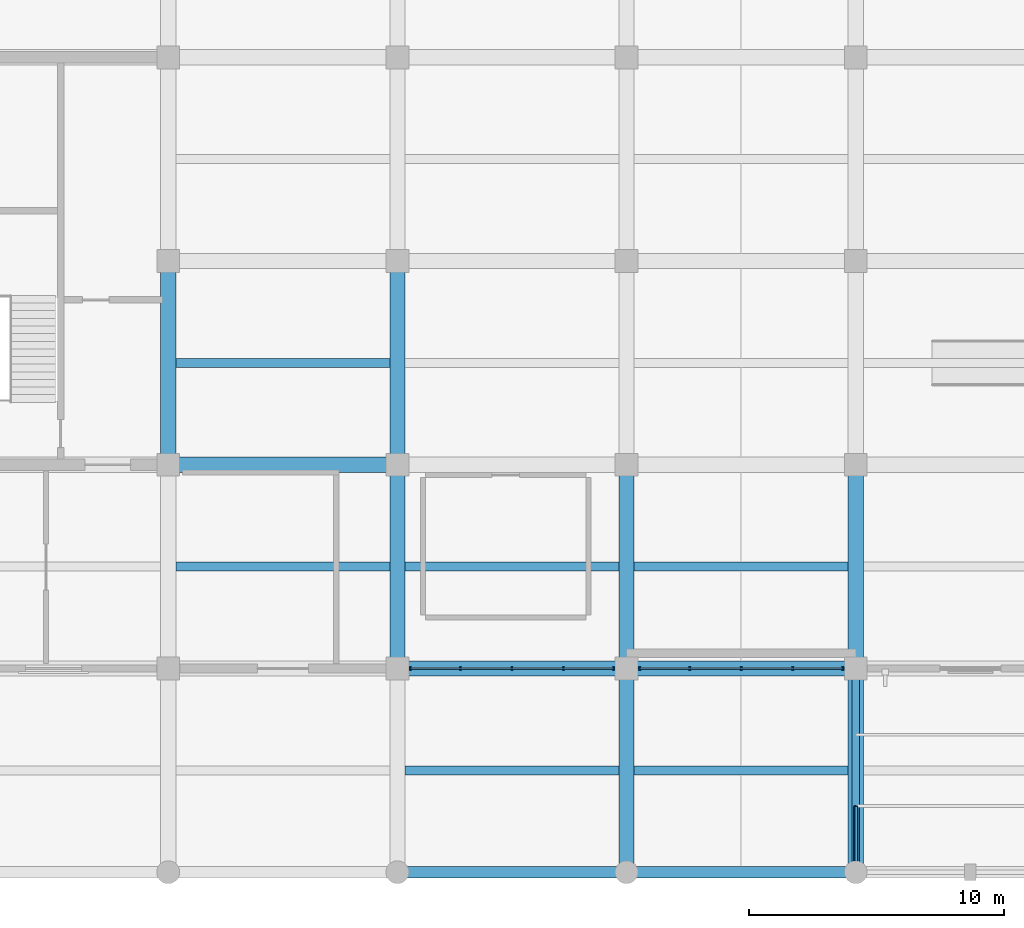
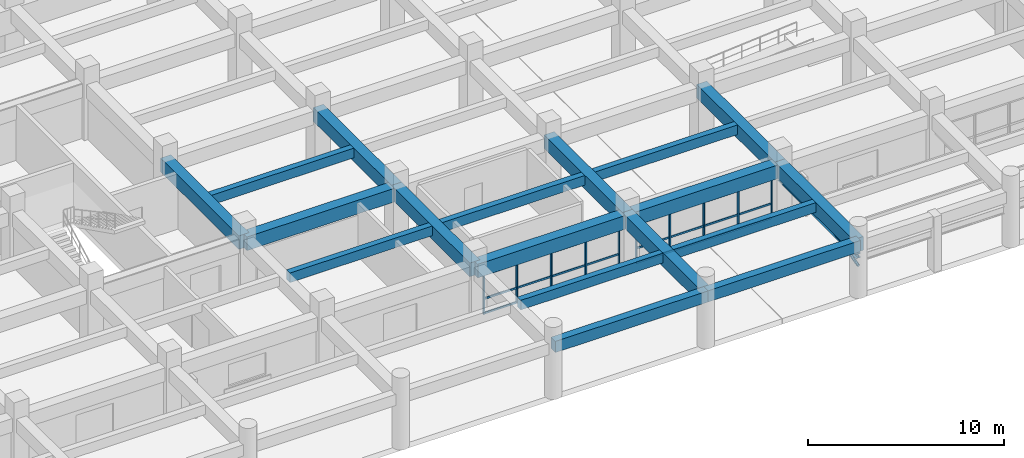
# One storey, part 3 of 40: 18 beams, 18 members, 2 elements without a shape of their own.
"""IFC4 building model written with IfcOpenShell, lengths in metres."""

from ifc_helpers import new_model, si_unit, direction, frame, origin, origin_2d, place, context, subcontext, project, spatial, rectangle, hollow_circle, i_section, extrude, material, material_profile, profile_set, type_object, element, aggregate, save


model = new_model("IFC4")

# Units and contexts
model_context = context("Model", 3, precision=1e-05, world=origin(), true_north=direction((0.0, 1.0)))
body_context = subcontext(model_context, "Body", "Model", "MODEL_VIEW")
ifc_project = project(units=[si_unit("LENGTHUNIT", "METRE"), si_unit("AREAUNIT", "SQUARE_METRE"), si_unit("VOLUMEUNIT", "CUBIC_METRE"), si_unit("PLANEANGLEUNIT", "RADIAN"), si_unit("MASSUNIT", "GRAM", prefix="KILO")], contexts=[model_context])

# Site, building, storey
site_placement = place(None, origin())
site = spatial("IfcSite", under=ifc_project, at=site_placement, CompositionType="ELEMENT")
building_placement = place(site_placement, origin())
building = spatial("IfcBuilding", under=site, at=building_placement, Name="Zaverband Oceanarium and Marine Research Institute", CompositionType="ELEMENT")
storey_placement = place(building_placement, origin())
storey = spatial("IfcBuildingStorey", under=building, at=storey_placement, Name="L00", CompositionType="ELEMENT", Elevation=0.0)

# Beams
ifc_material_1 = material(Name="Concrete C40/50", Category="concrete")
ifc_material_profile_1 = material_profile(ifc_material_1, rectangle(XDim=0.60009765625, YDim=0.85009765625, at=origin_2d()), Name="RC600x850")
ifc_profile_set_1 = profile_set([ifc_material_profile_1], Name="Concrete C40/50")
beam_type_1 = type_object("IfcBeamType", Name="BM-600x850", PredefinedType="BEAM", material=ifc_profile_set_1)
for number, where, z_axis, x_axis, name in (
    (1, (45.0, 8.0, 3.02490234375), (1.0, 0.0, 0.0), (0.0, 1.0, 0.0), "Primary floor girder BM-600x850"),
    (2, (54.0, 8.0, 3.02490234375), (1.0, 0.0, 0.0), (0.0, 1.0, 0.0), "Primary floor girder BM-600x850"),
    (3, (36.0, 16.0, 3.02490234375), (1.0, 0.0, 0.0), (0.0, 1.0, 0.0), "Primary floor girder BM-600x850"),
):
    element("IfcBeam", number, at=place(storey_placement, frame(where, z_axis=z_axis, x_axis=x_axis)), inside=storey, type_object=beam_type_1, Name=name, PredefinedType="BEAM", context=body_context, shape_type="SweptSolid", body=[
        extrude(rectangle(XDim=0.60009765625, YDim=0.85009765625, at=origin_2d()), origin(), (0.0, 0.0, 1.0), 9.0),
    ])
for number, where, z_axis, x_axis, name in (
    (4, (36.0, 16.0, 3.02490234375), (0.0, 1.0, 0.0), (-1.0, 0.0, 0.0), "Primary floor girder BM-600x850"),
    (5, (45.0, 8.0, 3.02490234375), (0.0, 1.0, 0.0), (-1.0, 0.0, 0.0), "Primary floor girder BM-600x850"),
    (6, (45.0, 16.0, 3.02490234375), (0.0, 1.0, 0.0), (-1.0, 0.0, 0.0), "Primary floor girder BM-600x850"),
    (7, (54.0, 0.0, 3.02490234375), (0.0, 1.0, 0.0), (-1.0, 0.0, 0.0), "Primary floor girder BM-600x850"),
    (8, (54.0, 8.0, 3.02490234375), (0.0, 1.0, 0.0), (-1.0, 0.0, 0.0), "Primary floor girder BM-600x850"),
    (9, (63.0, 0.0, 3.02490234375), (0.0, 1.0, 0.0), (-1.0, 0.0, 0.0), "Primary floor girder BM-600x850"),
    (10, (63.0, 8.0, 3.02490234375), (0.0, 1.0, 0.0), (-1.0, 0.0, 0.0), "Primary floor girder BM-600x850"),
):
    element("IfcBeam", number, at=place(storey_placement, frame(where, z_axis=z_axis, x_axis=x_axis)), inside=storey, type_object=beam_type_1, Name=name, PredefinedType="BEAM", context=body_context, shape_type="SweptSolid", body=[
        extrude(rectangle(XDim=0.60009765625, YDim=0.85009765625, at=origin_2d()), origin(), (0.0, 0.0, 1.0), 8.0),
    ])
ifc_material_profile_2 = material_profile(ifc_material_1, rectangle(XDim=0.35009765625, YDim=0.60009765625, at=origin_2d()), Name="RC350x600")
ifc_profile_set_2 = profile_set([ifc_material_profile_2], Name="Concrete C40/50")
beam_type_2 = type_object("IfcBeamType", Name="JST-350x600", PredefinedType="JOIST", material=ifc_profile_set_2)
for number, where, z_axis, x_axis, name in (
    (11, (36.300048828125, 12.0, 3.14990234375), (1.0, 0.0, 0.0), (0.0, 1.0, 0.0), "Secondary floor joist JST-350x600"),
    (12, (36.300048828125, 20.0, 3.14990234375), (1.0, 0.0, 0.0), (0.0, 1.0, 0.0), "Secondary floor joist JST-350x600"),
    (13, (45.300048828125, 4.0, 3.14990234375), (1.0, 0.0, 0.0), (0.0, 1.0, 0.0), "Secondary floor joist JST-350x600"),
    (14, (45.300048828125, 12.0, 3.14990234375), (1.0, 0.0, 0.0), (0.0, 1.0, 0.0), "Secondary floor joist JST-350x600"),
    (15, (54.300048828125, 4.0, 3.14990234375), (1.0, 0.0, 0.0), (0.0, 1.0, 0.0), "Secondary floor joist JST-350x600"),
    (16, (54.300048828125, 12.0, 3.14990234375), (1.0, 0.0, 0.0), (0.0, 1.0, 0.0), "Secondary floor joist JST-350x600"),
):
    element("IfcBeam", number, at=place(storey_placement, frame(where, z_axis=z_axis, x_axis=x_axis)), inside=storey, type_object=beam_type_2, Name=name, PredefinedType="JOIST", context=body_context, shape_type="SweptSolid", body=[
        extrude(rectangle(XDim=0.35009765625, YDim=0.60009765625, at=origin_2d()), origin(), (0.0, 0.0, 1.0), 8.39990234375),
    ])

# Curtain wall, members
ifc_material_2 = material(Name="Thermally broken anodized aluminium and solar-control glass", Category="aluminium")
curtain_wall_type = type_object("IfcCurtainWallType", Name="CW-UNIT-1800", PredefinedType="NOTDEFINED", material=ifc_material_2)
curtain_wall_1_placement = place(storey_placement, origin())
curtain_wall_1 = element("IfcCurtainWall", 17, at=curtain_wall_1_placement, inside=storey, type_object=curtain_wall_type, Name="Unitised glazed curtain wall CW-001", PredefinedType="NOTDEFINED")
ifc_material_3 = material(Name="Thermally broken anodized aluminium", Category="aluminium")
ifc_material_profile_3 = material_profile(ifc_material_3, rectangle(XDim=0.070068359375, YDim=0.14990234375, at=origin_2d()), Name="AL-MUL-70x150")
ifc_profile_set_3 = profile_set([ifc_material_profile_3], Name="Thermally broken anodized aluminium")
member_type_1 = type_object("IfcMemberType", Name="MUL-70x150", PredefinedType="MULLION", material=ifc_profile_set_3)
member_1_placement = place(storey_placement, frame((45.514892578125, 8.0, 0.0), z_axis=(0.0, 0.0, 1.0), x_axis=(1.0, 0.0, 0.0)))
member_1 = element("IfcMember", 18, at=member_1_placement, type_object=member_type_1, Name="Curtain wall vertical mullion MUL-70x150", PredefinedType="MULLION", context=body_context, shape_type="SweptSolid", body=[
    extrude(rectangle(XDim=0.070068359375, YDim=0.14990234375, at=origin_2d()), origin(), (0.0, 0.0, 1.0), 2.489990234375),
])
member_2_placement = place(storey_placement, frame((47.4775390625, 8.0, 0.0), z_axis=(0.0, 0.0, 1.0), x_axis=(1.0, 0.0, 0.0)))
member_2 = element("IfcMember", 19, at=member_2_placement, type_object=member_type_1, Name="Curtain wall vertical mullion MUL-70x150", PredefinedType="MULLION", context=body_context, shape_type="SweptSolid", body=[
    extrude(rectangle(XDim=0.070068359375, YDim=0.14990234375, at=origin_2d()), origin(), (0.0, 0.0, 1.0), 2.489990234375),
])
member_3_placement = place(storey_placement, frame((49.5, 8.0, 0.0), z_axis=(0.0, 0.0, 1.0), x_axis=(1.0, 0.0, 0.0)))
member_3 = element("IfcMember", 20, at=member_3_placement, type_object=member_type_1, Name="Curtain wall vertical mullion MUL-70x150", PredefinedType="MULLION", context=body_context, shape_type="SweptSolid", body=[
    extrude(rectangle(XDim=0.070068359375, YDim=0.14990234375, at=origin_2d()), origin(), (0.0, 0.0, 1.0), 2.489990234375),
])
member_4_placement = place(storey_placement, frame((51.5224609375, 8.0, 0.0), z_axis=(0.0, 0.0, 1.0), x_axis=(1.0, 0.0, 0.0)))
member_4 = element("IfcMember", 21, at=member_4_placement, type_object=member_type_1, Name="Curtain wall vertical mullion MUL-70x150", PredefinedType="MULLION", context=body_context, shape_type="SweptSolid", body=[
    extrude(rectangle(XDim=0.070068359375, YDim=0.14990234375, at=origin_2d()), origin(), (0.0, 0.0, 1.0), 2.489990234375),
])
member_5_placement = place(storey_placement, frame((53.485107421875, 8.0, 0.0), z_axis=(0.0, 0.0, 1.0), x_axis=(1.0, 0.0, 0.0)))
member_5 = element("IfcMember", 22, at=member_5_placement, type_object=member_type_1, Name="Curtain wall vertical mullion MUL-70x150", PredefinedType="MULLION", context=body_context, shape_type="SweptSolid", body=[
    extrude(rectangle(XDim=0.070068359375, YDim=0.14990234375, at=origin_2d()), origin(), (0.0, 0.0, 1.0), 2.489990234375),
])

curtain_wall_2_placement = place(storey_placement, origin())
curtain_wall_2 = element("IfcCurtainWall", 23, at=curtain_wall_2_placement, inside=storey, type_object=curtain_wall_type, Name="Unitised glazed curtain wall CW-002", PredefinedType="NOTDEFINED")
member_6_placement = place(storey_placement, frame((54.514892578125, 8.0, 0.0), z_axis=(0.0, 0.0, 1.0), x_axis=(1.0, 0.0, 0.0)))
member_6 = element("IfcMember", 24, at=member_6_placement, type_object=member_type_1, Name="Curtain wall vertical mullion MUL-70x150", PredefinedType="MULLION", context=body_context, shape_type="SweptSolid", body=[
    extrude(rectangle(XDim=0.070068359375, YDim=0.14990234375, at=origin_2d()), origin(), (0.0, 0.0, 1.0), 2.489990234375),
])
member_7_placement = place(storey_placement, frame((56.4775390625, 8.0, 0.0), z_axis=(0.0, 0.0, 1.0), x_axis=(1.0, 0.0, 0.0)))
member_7 = element("IfcMember", 25, at=member_7_placement, type_object=member_type_1, Name="Curtain wall vertical mullion MUL-70x150", PredefinedType="MULLION", context=body_context, shape_type="SweptSolid", body=[
    extrude(rectangle(XDim=0.070068359375, YDim=0.14990234375, at=origin_2d()), origin(), (0.0, 0.0, 1.0), 2.489990234375),
])
member_8_placement = place(storey_placement, frame((58.5, 8.0, 0.0), z_axis=(0.0, 0.0, 1.0), x_axis=(1.0, 0.0, 0.0)))
member_8 = element("IfcMember", 26, at=member_8_placement, type_object=member_type_1, Name="Curtain wall vertical mullion MUL-70x150", PredefinedType="MULLION", context=body_context, shape_type="SweptSolid", body=[
    extrude(rectangle(XDim=0.070068359375, YDim=0.14990234375, at=origin_2d()), origin(), (0.0, 0.0, 1.0), 2.489990234375),
])
member_9_placement = place(storey_placement, frame((60.5224609375, 8.0, 0.0), z_axis=(0.0, 0.0, 1.0), x_axis=(1.0, 0.0, 0.0)))
member_9 = element("IfcMember", 27, at=member_9_placement, type_object=member_type_1, Name="Curtain wall vertical mullion MUL-70x150", PredefinedType="MULLION", context=body_context, shape_type="SweptSolid", body=[
    extrude(rectangle(XDim=0.070068359375, YDim=0.14990234375, at=origin_2d()), origin(), (0.0, 0.0, 1.0), 2.489990234375),
])
member_10_placement = place(storey_placement, frame((62.485107421875, 8.0, 0.0), z_axis=(0.0, 0.0, 1.0), x_axis=(1.0, 0.0, 0.0)))
member_10 = element("IfcMember", 28, at=member_10_placement, type_object=member_type_1, Name="Curtain wall vertical mullion MUL-70x150", PredefinedType="MULLION", context=body_context, shape_type="SweptSolid", body=[
    extrude(rectangle(XDim=0.070068359375, YDim=0.14990234375, at=origin_2d()), origin(), (0.0, 0.0, 1.0), 2.489990234375),
])

# Member
ifc_material_4 = material(Name="Steel S355", Category="steel")
ifc_material_profile_4 = material_profile(ifc_material_4, i_section(OverallWidth=0.280029296875, OverallDepth=0.27001953125, WebThickness=0.008056640625, FlangeThickness=0.012939453125, FilletRadius=0.02392578125, at=origin_2d()), Name="HEA280")
ifc_profile_set_4 = profile_set([ifc_material_profile_4], Name="Steel S355")
member_type_2 = type_object("IfcMemberType", Name="RAF-HEA280", PredefinedType="RAFTER", material=ifc_profile_set_4)
member_11_placement = place(storey_placement, frame((63.0, 0.0, 2.340087890625), z_axis=(0.0, 0.999972049853, 0.007476597663), x_axis=(-1.0, 0.0, 0.0)))
element("IfcMember", 29, at=member_11_placement, inside=storey, type_object=member_type_2, Name="Canopy / skylight rafter RAF-HEA280", PredefinedType="RAFTER", context=body_context, shape_type="SweptSolid", body=[
    extrude(i_section(OverallWidth=0.280029296875, OverallDepth=0.27001953125, WebThickness=0.008056640625, FlangeThickness=0.012939453125, FilletRadius=0.02392578125, at=origin_2d()), origin(), (0.0, 0.0, 1.0), 8.000244140625),
])

# Beams
ifc_material_profile_5 = material_profile(ifc_material_1, rectangle(XDim=0.449951171875, YDim=0.699951171875, at=origin_2d()), Name="RC450x700")
ifc_profile_set_5 = profile_set([ifc_material_profile_5], Name="Concrete C40/50")
beam_type_3 = type_object("IfcBeamType", Name="SPN-450x700", PredefinedType="SPANDREL", material=ifc_profile_set_5)
for number, where, z_axis, x_axis, name in (
    (30, (45.0, 0.0, 3.10009765625), (1.0, 0.0, 0.0), (0.0, 1.0, 0.0), "Perimeter spandrel beam SPN-450x700"),
    (31, (54.0, 0.0, 3.10009765625), (1.0, 0.0, 0.0), (0.0, 1.0, 0.0), "Perimeter spandrel beam SPN-450x700"),
):
    element("IfcBeam", number, at=place(storey_placement, frame(where, z_axis=z_axis, x_axis=x_axis)), inside=storey, type_object=beam_type_3, Name=name, PredefinedType="SPANDREL", context=body_context, shape_type="SweptSolid", body=[
        extrude(rectangle(XDim=0.449951171875, YDim=0.699951171875, at=origin_2d()), origin(), (0.0, 0.0, 1.0), 9.0),
    ])

# Member
ifc_material_profile_6 = material_profile(ifc_material_4, hollow_circle(Radius=0.084228515625, WallThickness=0.00634765625, at=origin_2d()), Name="CHS168x6.3")
ifc_profile_set_6 = profile_set([ifc_material_profile_6], Name="Steel S355")
member_type_3 = type_object("IfcMemberType", Name="STR-CHS168", PredefinedType="STRUT", material=ifc_profile_set_6)
member_12_placement = place(storey_placement, frame((63.0, 0.0, 1.75), z_axis=(0.0, 0.971888083866, 0.235443310458), x_axis=(-1.0, 0.0, 0.0)))
element("IfcMember", 32, at=member_12_placement, inside=storey, type_object=member_type_3, Name="Canopy / tank strut STR-CHS168", PredefinedType="STRUT", context=body_context, shape_type="SweptSolid", body=[
    extrude(hollow_circle(Radius=0.084228515625, WallThickness=0.00634765625, at=origin_2d()), origin(), (0.0, 0.0, 1.0), 2.67529296875),
])

ifc_material_profile_7 = material_profile(ifc_material_3, rectangle(XDim=0.070068359375, YDim=0.114990234375, at=origin_2d()), Name="AL-TRN-70x115")
ifc_profile_set_7 = profile_set([ifc_material_profile_7], Name="Thermally broken anodized aluminium")
member_type_4 = type_object("IfcMemberType", Name="TRN-70x115", PredefinedType="USERDEFINED", material=ifc_profile_set_7)
member_13_placement = place(storey_placement, frame((45.514892578125, 8.0, 0.050048828125), z_axis=(1.0, 0.0, 0.0), x_axis=(0.0, 1.0, 0.0)))
member_13 = element("IfcMember", 33, at=member_13_placement, type_object=member_type_4, Name="Curtain wall horizontal transom TRN-70x115", ObjectType="TRANSOM", PredefinedType="USERDEFINED", context=body_context, shape_type="SweptSolid", body=[
    extrude(rectangle(XDim=0.070068359375, YDim=0.114990234375, at=origin_2d()), origin(), (0.0, 0.0, 1.0), 7.97021484375),
])

member_14_placement = place(storey_placement, frame((45.514892578125, 8.0, 0.951904296875), z_axis=(1.0, 0.0, 0.0), x_axis=(0.0, 1.0, 0.0)))
member_14 = element("IfcMember", 34, at=member_14_placement, type_object=member_type_4, Name="Curtain wall horizontal transom TRN-70x115", ObjectType="TRANSOM", PredefinedType="USERDEFINED", context=body_context, shape_type="SweptSolid", body=[
    extrude(rectangle(XDim=0.070068359375, YDim=0.114990234375, at=origin_2d()), origin(), (0.0, 0.0, 1.0), 7.97021484375),
])

member_15_placement = place(storey_placement, frame((45.514892578125, 8.0, 2.43994140625), z_axis=(1.0, 0.0, 0.0), x_axis=(0.0, 1.0, 0.0)))
member_15 = element("IfcMember", 35, at=member_15_placement, type_object=member_type_4, Name="Curtain wall horizontal transom TRN-70x115", ObjectType="TRANSOM", PredefinedType="USERDEFINED", context=body_context, shape_type="SweptSolid", body=[
    extrude(rectangle(XDim=0.070068359375, YDim=0.114990234375, at=origin_2d()), origin(), (0.0, 0.0, 1.0), 7.97021484375),
])

aggregate(curtain_wall_1, [member_1, member_2, member_3, member_4, member_5, member_13, member_14, member_15])

member_16_placement = place(storey_placement, frame((54.514892578125, 8.0, 0.050048828125), z_axis=(1.0, 0.0, 0.0), x_axis=(0.0, 1.0, 0.0)))
member_16 = element("IfcMember", 36, at=member_16_placement, type_object=member_type_4, Name="Curtain wall horizontal transom TRN-70x115", ObjectType="TRANSOM", PredefinedType="USERDEFINED", context=body_context, shape_type="SweptSolid", body=[
    extrude(rectangle(XDim=0.070068359375, YDim=0.114990234375, at=origin_2d()), origin(), (0.0, 0.0, 1.0), 7.97021484375),
])

member_17_placement = place(storey_placement, frame((54.514892578125, 8.0, 0.951904296875), z_axis=(1.0, 0.0, 0.0), x_axis=(0.0, 1.0, 0.0)))
member_17 = element("IfcMember", 37, at=member_17_placement, type_object=member_type_4, Name="Curtain wall horizontal transom TRN-70x115", ObjectType="TRANSOM", PredefinedType="USERDEFINED", context=body_context, shape_type="SweptSolid", body=[
    extrude(rectangle(XDim=0.070068359375, YDim=0.114990234375, at=origin_2d()), origin(), (0.0, 0.0, 1.0), 7.97021484375),
])

member_18_placement = place(storey_placement, frame((54.514892578125, 8.0, 2.43994140625), z_axis=(1.0, 0.0, 0.0), x_axis=(0.0, 1.0, 0.0)))
member_18 = element("IfcMember", 38, at=member_18_placement, type_object=member_type_4, Name="Curtain wall horizontal transom TRN-70x115", ObjectType="TRANSOM", PredefinedType="USERDEFINED", context=body_context, shape_type="SweptSolid", body=[
    extrude(rectangle(XDim=0.070068359375, YDim=0.114990234375, at=origin_2d()), origin(), (0.0, 0.0, 1.0), 7.97021484375),
])

aggregate(curtain_wall_2, [member_6, member_7, member_8, member_9, member_10, member_16, member_17, member_18])

save(model, "model.ifc")
